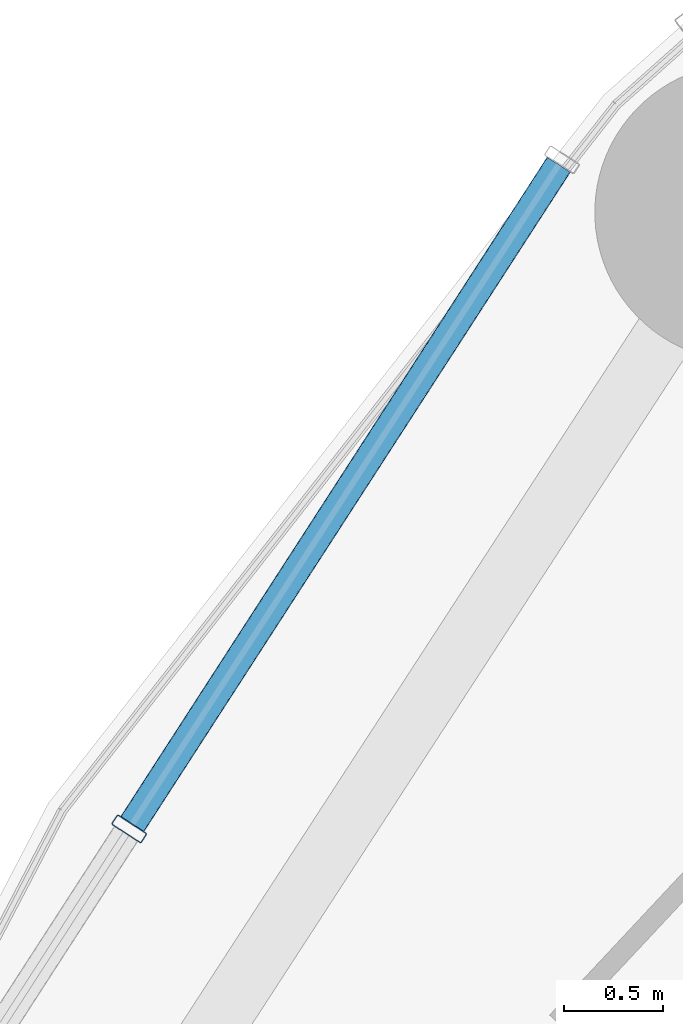
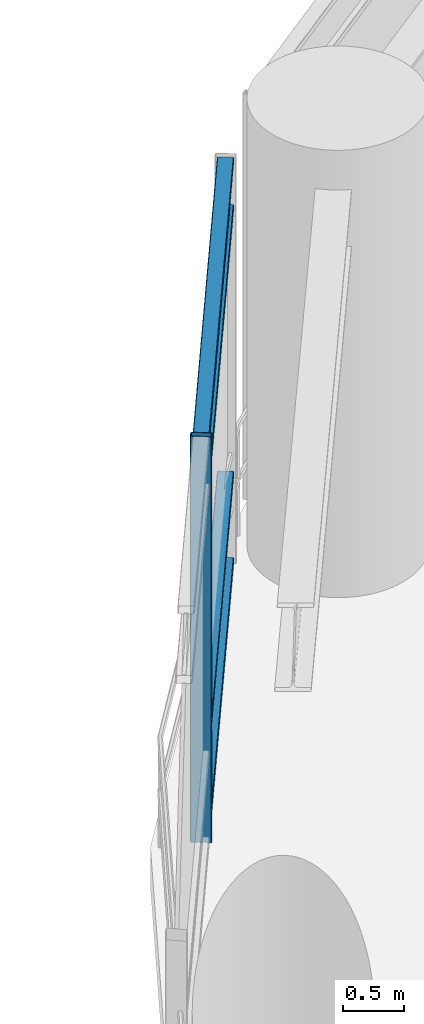
# One storey, part 27 of 52: 5 members, 1 element without a shape of its own.
"""IFC4 building model written with IfcOpenShell, lengths in metres."""

from ifc_helpers import new_model, si_unit, direction, frame, origin, origin_2d, place, context, subcontext, project, spatial, hollow_rectangle, extrude, material, layer, layer_set, material_profile, profile_set, type_object, element, aggregate, save


model = new_model("IFC4")

# Units and contexts
model_context = context("Model", 3, precision=1e-05, world=origin(), true_north=direction((0.0, 1.0)))
body_context = subcontext(model_context, "Body", "Model", "MODEL_VIEW")
ifc_project = project(units=[si_unit("LENGTHUNIT", "METRE"), si_unit("AREAUNIT", "SQUARE_METRE"), si_unit("VOLUMEUNIT", "CUBIC_METRE"), si_unit("PLANEANGLEUNIT", "RADIAN"), si_unit("MASSUNIT", "GRAM", prefix="KILO")], contexts=[model_context])

# Site, building, storey
site_placement = place(None, origin())
site = spatial("IfcSite", under=ifc_project, at=site_placement, CompositionType="ELEMENT")
building_placement = place(site_placement, origin())
building = spatial("IfcBuilding", under=site, at=building_placement, Name="Kelanora Arch Commons", CompositionType="ELEMENT")
storey_placement = place(building_placement, frame((0.0, 0.0, 13.5)))
storey = spatial("IfcBuildingStorey", under=building, at=storey_placement, Name="L03", CompositionType="ELEMENT", Elevation=13.5)

# Curtain wall, members
ifc_material_1 = material(Name="Terracotta ceramic-fritted low-E glass and aluminium", Category="masonry")
ifc_layer = layer(ifc_material_1, 0.2099609375)
ifc_layer_set = layer_set([ifc_layer], Name="Terracotta ceramic-fritted low-E glass and aluminium")
curtain_wall_type = type_object("IfcCurtainWallType", Name="CW-SYS-04", PredefinedType="NOTDEFINED", material=ifc_layer_set)
curtain_wall_placement = place(storey_placement, origin())
curtain_wall = element("IfcCurtainWall", 1, at=curtain_wall_placement, inside=storey, type_object=curtain_wall_type, Name="Unitised Curtain Wall L03-B07", PredefinedType="NOTDEFINED")
ifc_material_2 = material(Name="Powder-coated aluminium terracotta", Category="masonry")
ifc_material_profile_1 = material_profile(ifc_material_2, hollow_rectangle(XDim=0.179931640625, YDim=0.06005859375, WallThickness=0.0048828125, InnerFilletRadius=0.0048828125, OuterFilletRadius=0.010009765625, at=origin_2d()), Name="CWM180x60")
ifc_profile_set_1 = profile_set([ifc_material_profile_1], Name="Powder-coated aluminium terracotta")
member_type_1 = type_object("IfcMemberType", Name="CWM-HVY", PredefinedType="MULLION", material=ifc_profile_set_1)
member_1_placement = place(storey_placement, frame((50.158935546875, 70.370849609375, 0.0), z_axis=(0.0, 0.0, 1.0), x_axis=(0.839728582399, -0.54300636083, 0.0)))
member_1 = element("IfcMember", 2, at=member_1_placement, type_object=member_type_1, Name="CW-04 mullion 2", PredefinedType="MULLION", context=body_context, shape_type="SweptSolid", body=[
    extrude(hollow_rectangle(XDim=0.179931640625, YDim=0.06005859375, WallThickness=0.0048828125, InnerFilletRadius=0.0048828125, OuterFilletRadius=0.010009765625, at=origin_2d()), origin(), (0.0, 0.0, 1.0), 4.0849609375),
])
ifc_material_profile_2 = material_profile(ifc_material_2, hollow_rectangle(XDim=0.139892578125, YDim=0.06005859375, WallThickness=0.0048828125, InnerFilletRadius=0.0048828125, OuterFilletRadius=0.010009765625, at=origin_2d()), Name="CWT140x60")
ifc_profile_set_2 = profile_set([ifc_material_profile_2], Name="Powder-coated aluminium terracotta")
member_type_2 = type_object("IfcMemberType", Name="CWT-HVY", PredefinedType="USERDEFINED", material=ifc_profile_set_2)
member_2_placement = place(storey_placement, frame((52.32373046875, 73.718505859375, 0.030029296875), z_axis=(-0.54299796475, -0.839734011623, 0.0), x_axis=(0.839734011623, -0.54299796475, 0.0)))
member_2 = element("IfcMember", 3, at=member_2_placement, type_object=member_type_2, Name="CW-04 transom 1.1", ObjectType="TRANSOM", PredefinedType="USERDEFINED", context=body_context, shape_type="SweptSolid", body=[
    extrude(hollow_rectangle(XDim=0.139892578125, YDim=0.06005859375, WallThickness=0.0048828125, InnerFilletRadius=0.0048828125, OuterFilletRadius=0.010009765625, at=origin_2d()), origin(), (0.0, 0.0, 1.0), 3.95654296875),
])
member_3_placement = place(storey_placement, frame((52.32373046875, 73.718505859375, 0.89990234375), z_axis=(-0.54299796475, -0.839734011623, 0.0), x_axis=(0.839734011623, -0.54299796475, 0.0)))
member_3 = element("IfcMember", 4, at=member_3_placement, type_object=member_type_2, Name="CW-04 transom 1.2", ObjectType="TRANSOM", PredefinedType="USERDEFINED", context=body_context, shape_type="SweptSolid", body=[
    extrude(hollow_rectangle(XDim=0.139892578125, YDim=0.06005859375, WallThickness=0.0048828125, InnerFilletRadius=0.0048828125, OuterFilletRadius=0.010009765625, at=origin_2d()), origin(), (0.0, 0.0, 1.0), 3.95654296875),
])
member_4_placement = place(storey_placement, frame((52.32373046875, 73.718505859375, 3.5849609375), z_axis=(-0.54299796475, -0.839734011623, 0.0), x_axis=(0.839734011623, -0.54299796475, 0.0)))
member_4 = element("IfcMember", 5, at=member_4_placement, type_object=member_type_2, Name="CW-04 transom 1.3", ObjectType="TRANSOM", PredefinedType="USERDEFINED", context=body_context, shape_type="SweptSolid", body=[
    extrude(hollow_rectangle(XDim=0.139892578125, YDim=0.06005859375, WallThickness=0.0048828125, InnerFilletRadius=0.0048828125, OuterFilletRadius=0.010009765625, at=origin_2d()), origin(), (0.0, 0.0, 1.0), 3.95654296875),
])
member_5_placement = place(storey_placement, frame((52.32373046875, 73.718505859375, 4.054931640625), z_axis=(-0.54299796475, -0.839734011623, 0.0), x_axis=(0.839734011623, -0.54299796475, 0.0)))
member_5 = element("IfcMember", 6, at=member_5_placement, type_object=member_type_2, Name="CW-04 transom 1.4", ObjectType="TRANSOM", PredefinedType="USERDEFINED", context=body_context, shape_type="SweptSolid", body=[
    extrude(hollow_rectangle(XDim=0.139892578125, YDim=0.06005859375, WallThickness=0.0048828125, InnerFilletRadius=0.0048828125, OuterFilletRadius=0.010009765625, at=origin_2d()), origin(), (0.0, 0.0, 1.0), 3.95654296875),
])
aggregate(curtain_wall, [member_1, member_2, member_3, member_4, member_5])

save(model, "model.ifc")
